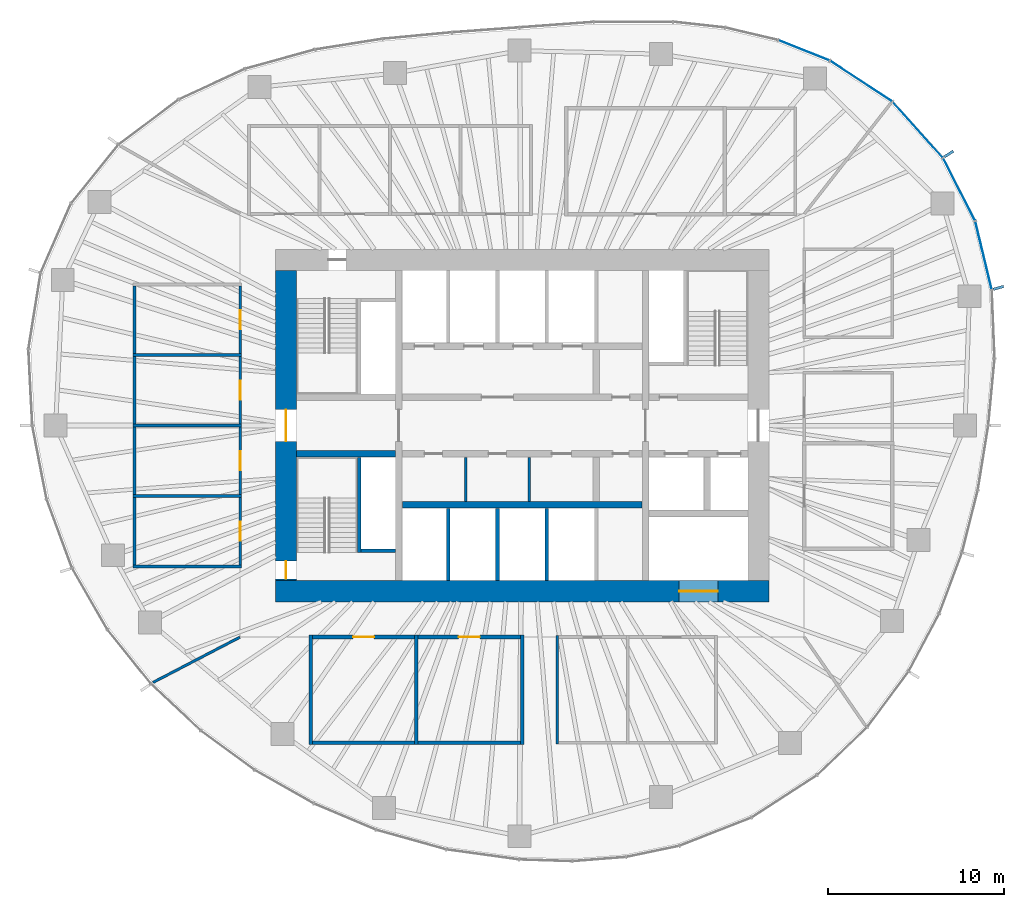
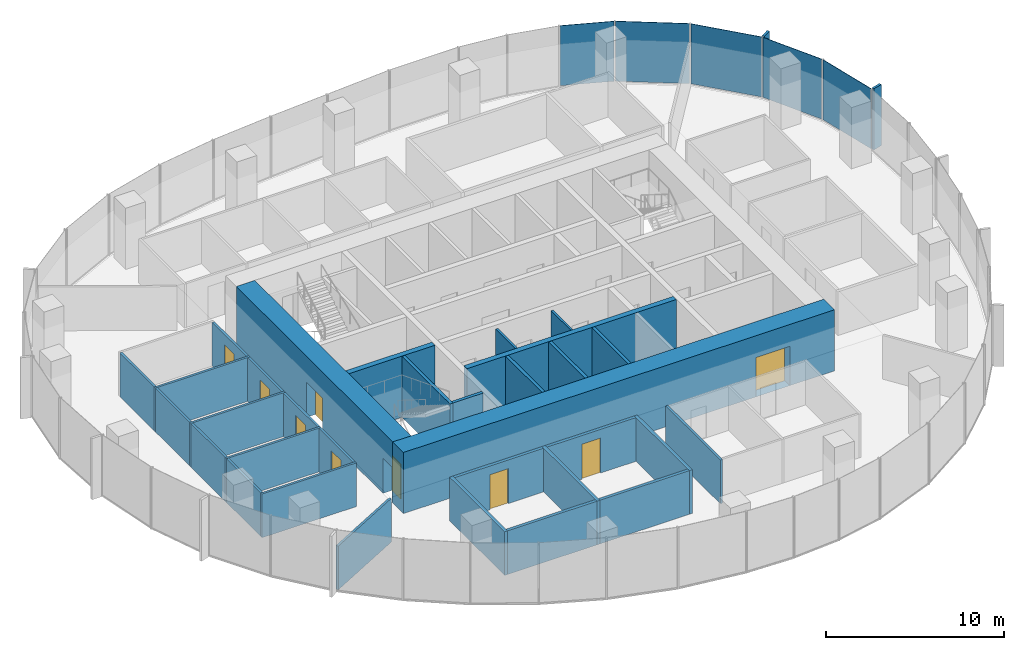
# One storey, part 8 of 12: 32 walls, 9 doors, 7 plates, 9 openings, 3 elements without a shape of their own.
"""IFC4 building model written with IfcOpenShell, lengths in metres."""

from ifc_helpers import new_model, si_unit, direction, frame, frame_2d, origin, origin_2d, place, context, subcontext, project, spatial, rectangle, extrude, material, layer, layer_set, type_object, element, fill, aggregate, save


model = new_model("IFC4")

# Units and contexts
model_context = context("Model", 3, precision=1e-05, world=origin(), true_north=direction((0.0, 1.0)))
body_context = subcontext(model_context, "Body", "Model", "MODEL_VIEW")
ifc_project = project(units=[si_unit("LENGTHUNIT", "METRE"), si_unit("AREAUNIT", "SQUARE_METRE"), si_unit("VOLUMEUNIT", "CUBIC_METRE"), si_unit("PLANEANGLEUNIT", "RADIAN"), si_unit("MASSUNIT", "GRAM", prefix="KILO")], contexts=[model_context])

# Site, building, storey
site_placement = place(None, origin())
site = spatial("IfcSite", under=ifc_project, at=site_placement, CompositionType="ELEMENT")
building_placement = place(site_placement, origin())
building = spatial("IfcBuilding", under=site, at=building_placement, Name="Ghaith Harvest Tower", CompositionType="ELEMENT")
storey_placement = place(building_placement, frame((0.0, 0.0, 199.0)))
storey = spatial("IfcBuildingStorey", under=building, at=storey_placement, Name="L43", CompositionType="ELEMENT", Elevation=199.0)

# Curtain wall, plates
ifc_material_1 = material(Name="Black anodised aluminium and fritted glass", Category="aluminium")
curtain_wall_type = type_object("IfcCurtainWallType", Name="CW-H CURTAIN WALL", PredefinedType="NOTDEFINED", material=ifc_material_1)
curtain_wall_1_placement = place(storey_placement, origin())
curtain_wall_1 = element("IfcCurtainWall", 1, at=curtain_wall_1_placement, inside=storey, type_object=curtain_wall_type, Name="Curtain wall CW-H bay 02 L43", PredefinedType="NOTDEFINED")
ifc_material_2 = material(Name="Glass, dark solar-control fritted double glazed unit", Category="glass")
ifc_layer_1 = layer(ifc_material_2, 0.030029296875)
ifc_layer_set_1 = layer_set([ifc_layer_1], Name="CW-H VISION PANEL")
plate_type_1 = type_object("IfcPlateType", Name="CW-H VISION PANEL", PredefinedType="CURTAIN_PANEL", material=ifc_layer_set_1)
plate_1_placement = place(storey_placement, frame((26.1767578125, 9.6533203125, 0.079833984375), z_axis=(0.0, 0.0, 1.0), x_axis=(-0.233894000303, 0.972262102842, 0.0)))
plate_1 = element("IfcPlate", 2, at=plate_1_placement, type_object=plate_type_1, Name="CW-H glass unit 1 bay 02 L43", PredefinedType="CURTAIN_PANEL", context=body_context, shape_type="SweptSolid", body=[
    extrude(rectangle(XDim=3.935546875, YDim=0.030029296875, at=origin_2d()), origin(), (0.0, 0.0, 1.0), 4.1201171875),
])
plate_2_placement = place(storey_placement, frame((24.790771484375, 13.399658203125, 0.079833984375), z_axis=(0.0, 0.0, 1.0), x_axis=(-0.454915320985, 0.890534699342, 0.0)))
plate_2 = element("IfcPlate", 3, at=plate_2_placement, type_object=plate_type_1, Name="CW-H glass unit 2 bay 02 L43", PredefinedType="CURTAIN_PANEL", context=body_context, shape_type="SweptSolid", body=[
    extrude(rectangle(XDim=3.949462890625, YDim=0.030029296875, at=origin_2d()), origin(), (0.0, 0.0, 1.0), 4.1201171875),
])
aggregate(curtain_wall_1, [plate_1, plate_2])

curtain_wall_2_placement = place(storey_placement, origin())
curtain_wall_2 = element("IfcCurtainWall", 4, at=curtain_wall_2_placement, inside=storey, type_object=curtain_wall_type, Name="Curtain wall CW-H bay 03 L43", PredefinedType="NOTDEFINED")
plate_3_placement = place(storey_placement, frame((22.44384765625, 16.783935546875, 0.079833984375), z_axis=(0.0, 0.0, 1.0), x_axis=(-0.668757736889, 0.743480389352, 0.0)))
plate_3 = element("IfcPlate", 5, at=plate_3_placement, type_object=plate_type_1, Name="CW-H glass unit 1 bay 03 L43", PredefinedType="CURTAIN_PANEL", context=body_context, shape_type="SweptSolid", body=[
    extrude(rectangle(XDim=4.19775390625, YDim=0.030029296875, at=origin_2d()), origin(), (0.0, 0.0, 1.0), 4.1201171875),
])
plate_4_placement = place(storey_placement, frame((19.236328125, 19.539306640625, 0.079833984375), z_axis=(0.0, 0.0, 1.0), x_axis=(-0.836276741583, 0.548307588392, 0.0)))
plate_4 = element("IfcPlate", 6, at=plate_4_placement, type_object=plate_type_1, Name="CW-H glass unit 2 bay 03 L43", PredefinedType="CURTAIN_PANEL", context=body_context, shape_type="SweptSolid", body=[
    extrude(rectangle(XDim=4.169677734375, YDim=0.030029296875, at=origin_2d()), origin(), (0.0, 0.0, 1.0), 4.1201171875),
])
aggregate(curtain_wall_2, [plate_3, plate_4])

# Curtain wall, plate
curtain_wall_3_placement = place(storey_placement, origin())
curtain_wall_3 = element("IfcCurtainWall", 7, at=curtain_wall_3_placement, inside=storey, type_object=curtain_wall_type, Name="Curtain wall CW-H bay 04 L43", PredefinedType="NOTDEFINED")
plate_5_placement = place(storey_placement, frame((15.993408203125, 21.287841796875, 0.079833984375), z_axis=(0.0, 0.0, 1.0), x_axis=(-0.929107322045, 0.369810200133, 0.0)))
plate_5 = element("IfcPlate", 8, at=plate_5_placement, type_object=plate_type_1, Name="CW-H glass unit 1 bay 04 L43", PredefinedType="CURTAIN_PANEL", context=body_context, shape_type="SweptSolid", body=[
    extrude(rectangle(XDim=3.075927734375, YDim=0.030029296875, at=origin_2d()), origin(), (0.0, 0.0, 1.0), 4.1201171875),
])
aggregate(curtain_wall_3, [plate_5])

# Plates
ifc_material_3 = material(Name="Glassfibre-reinforced concrete", Category="concrete")
ifc_layer_2 = layer(ifc_material_3, 0.14990234375)
ifc_layer_set_2 = layer_set([ifc_layer_2], Name="SUN-BREAKER FIN 600x150")
plate_type_2 = type_object("IfcPlateType", Name="SUN-BREAKER FIN 600x150", PredefinedType="USERDEFINED", material=ifc_layer_set_2)
for number, where, z_axis, x_axis, name in (
    (9, (27.03076171875, 7.8125, 0.0), (0.0, 0.0, 1.0), (0.960680349985, 0.277656739792, 0.0), "Sun-breaker fin CW-H 1 bay 02 L43"),
    (10, (24.211669921875, 15.408447265625, 0.0), (0.0, 0.0, 1.0), (0.843643971464, 0.536903016766, 0.0), "Sun-breaker fin CW-H 1 bay 03 L43"),
):
    element("IfcPlate", number, at=place(storey_placement, frame(where, z_axis=z_axis, x_axis=x_axis)), inside=storey, type_object=plate_type_2, Name=name, ObjectType="SUN-BREAKER FIN", PredefinedType="USERDEFINED", context=body_context, shape_type="SweptSolid", body=[
        extrude(rectangle(XDim=0.60009765625, YDim=0.14990234375, at=origin_2d()), origin(), (0.0, 0.0, 1.0), 4.199951171875),
    ])

# Walls
ifc_material_4 = material(Name="Twin-stud gypsum board, acoustic", Category="gypsum")
ifc_layer_3 = layer(ifc_material_4, 0.199951171875)
ifc_layer_set_3 = layer_set([ifc_layer_3], Name="ACOUSTIC PARTITION 200")
wall_type_1 = type_object("IfcWallType", Name="ACOUSTIC PARTITION 200", PredefinedType="PARTITIONING", material=ifc_layer_set_3)
for number, where, z_axis, x_axis, name in (
    (11, (-12.0, -11.89990234375, 0.0), (0.0, 0.0, 1.0), (0.0, -1.0, 0.0), "Partition L43 row S3 cross wall 1"),
    (12, (-6.0, -11.89990234375, 0.0), (0.0, 0.0, 1.0), (0.0, -1.0, 0.0), "Partition L43 row S3 cross wall 2"),
    (13, (0.0, -11.89990234375, 0.0), (0.0, 0.0, 1.0), (0.0, -1.0, 0.0), "Partition L43 row S3 cross wall 3"),
):
    element("IfcWall", number, at=place(storey_placement, frame(where, z_axis=z_axis, x_axis=x_axis)), inside=storey, type_object=wall_type_1, Name=name, PredefinedType="PARTITIONING", context=body_context, shape_type="SweptSolid", body=[
        extrude(rectangle(XDim=6.2001953125, YDim=0.199951171875, at=frame_2d((3.10009765625, 0.0))), origin(), (0.0, 0.0, 1.0), 3.0),
    ])

# Wall, opening, door
wall_1_placement = place(storey_placement, frame((-11.89990234375, -12.0, 0.0), z_axis=(0.0, 0.0, 1.0), x_axis=(1.0, 0.0, 0.0)))
wall_1 = element("IfcWall", 14, at=wall_1_placement, inside=storey, type_object=wall_type_1, Name="Partition L43-07", PredefinedType="PARTITIONING", context=body_context, shape_type="SweptSolid", body=[
    extrude(rectangle(XDim=5.7998046875, YDim=0.199951171875, at=frame_2d((2.89990234375, 0.0))), origin(), (0.0, 0.0, 1.0), 3.0),
])
opening_1_placement = place(wall_1_placement, frame((2.300048828125, 0.0, 0.0)))
opening_1 = element("IfcOpeningElement", 15, at=opening_1_placement, cuts=wall_1, Name="Opening 43-027", PredefinedType="OPENING", context=body_context, shape_type="SweptSolid", body=[
    extrude(rectangle(XDim=1.199951171875, YDim=2.39990234375, at=frame_2d((0.60009765625, 1.199951171875))), frame((0.0, 0.10986328125, 0.0), z_axis=(0.0, -1.0, 0.0), x_axis=(1.0, 0.0, 0.0)), (0.0, 0.0, 1.0), 0.219970703125),
])
ifc_material_5 = material(Name="Timber door", Category="wood")
door_type_1 = type_object("IfcDoorType", Name="D11 GLAZED 1200x2400", OperationType="SINGLE_SWING_LEFT", PredefinedType="DOOR", material=ifc_material_5)
door_1_placement = place(opening_1_placement, origin())
door_1 = element("IfcDoor", 16, at=door_1_placement, inside=storey, type_object=door_type_1, Name="Meeting room door", OperationType="SINGLE_SWING_LEFT", OverallHeight=2.39990234375, OverallWidth=1.199951171875, PredefinedType="DOOR", context=body_context, shape_type="SweptSolid", body=[
    extrude(rectangle(XDim=1.199951171875, YDim=2.39990234375, at=frame_2d((0.60009765625, 1.199951171875))), frame((0.0, 0.02490234375, 0.0), z_axis=(0.0, -1.0, 0.0), x_axis=(1.0, 0.0, 0.0)), (0.0, 0.0, 1.0), 0.050048828125),
])
fill(opening_1, door_1)

# Wall
wall_2_placement = place(storey_placement, frame((-11.89990234375, -18.0, 0.0), z_axis=(0.0, 0.0, 1.0), x_axis=(1.0, 0.0, 0.0)))
element("IfcWall", 17, at=wall_2_placement, inside=storey, type_object=wall_type_1, Name="Partition L43-07", PredefinedType="PARTITIONING", context=body_context, shape_type="SweptSolid", body=[
    extrude(rectangle(XDim=5.7998046875, YDim=0.199951171875, at=frame_2d((2.89990234375, 0.0))), origin(), (0.0, 0.0, 1.0), 3.0),
])

# Wall, opening, door
wall_3_placement = place(storey_placement, frame((-5.89990234375, -12.0, 0.0), z_axis=(0.0, 0.0, 1.0), x_axis=(1.0, 0.0, 0.0)))
wall_3 = element("IfcWall", 18, at=wall_3_placement, inside=storey, type_object=wall_type_1, Name="Partition L43-08", PredefinedType="PARTITIONING", context=body_context, shape_type="SweptSolid", body=[
    extrude(rectangle(XDim=5.7998046875, YDim=0.199951171875, at=frame_2d((2.89990234375, 0.0))), origin(), (0.0, 0.0, 1.0), 3.0),
])
opening_2_placement = place(wall_3_placement, frame((2.300048828125, 0.0, 0.0)))
opening_2 = element("IfcOpeningElement", 19, at=opening_2_placement, cuts=wall_3, Name="Opening 43-028", PredefinedType="OPENING", context=body_context, shape_type="SweptSolid", body=[
    extrude(rectangle(XDim=1.199951171875, YDim=2.39990234375, at=frame_2d((0.60009765625, 1.199951171875))), frame((0.0, 0.10986328125, 0.0), z_axis=(0.0, -1.0, 0.0), x_axis=(1.0, 0.0, 0.0)), (0.0, 0.0, 1.0), 0.219970703125),
])
door_2_placement = place(opening_2_placement, origin())
door_2 = element("IfcDoor", 20, at=door_2_placement, inside=storey, type_object=door_type_1, Name="Meeting room door", OperationType="SINGLE_SWING_LEFT", OverallHeight=2.39990234375, OverallWidth=1.199951171875, PredefinedType="DOOR", context=body_context, shape_type="SweptSolid", body=[
    extrude(rectangle(XDim=1.199951171875, YDim=2.39990234375, at=frame_2d((0.60009765625, 1.199951171875))), frame((0.0, 0.02490234375, 0.0), z_axis=(0.0, -1.0, 0.0), x_axis=(1.0, 0.0, 0.0)), (0.0, 0.0, 1.0), 0.050048828125),
])
fill(opening_2, door_2)

# Walls
wall_4_placement = place(storey_placement, frame((-5.89990234375, -18.0, 0.0), z_axis=(0.0, 0.0, 1.0), x_axis=(1.0, 0.0, 0.0)))
element("IfcWall", 21, at=wall_4_placement, inside=storey, type_object=wall_type_1, Name="Partition L43-08", PredefinedType="PARTITIONING", context=body_context, shape_type="SweptSolid", body=[
    extrude(rectangle(XDim=5.7998046875, YDim=0.199951171875, at=frame_2d((2.89990234375, 0.0))), origin(), (0.0, 0.0, 1.0), 3.0),
])
ifc_material_6 = material(Name="Concrete blockwork, fair-faced", Category="masonry")
ifc_layer_4 = layer(ifc_material_6, 0.139892578125)
ifc_layer_set_4 = layer_set([ifc_layer_4], Name="CORE PARTITION 140")
wall_type_2 = type_object("IfcWallType", Name="CORE PARTITION 140", PredefinedType="PARTITIONING", material=ifc_layer_set_4)
for number, where, z_axis, x_axis, name in (
    (22, (-3.199951171875, -1.800048828125, 0.0), (0.0, 0.0, 1.0), (0.0, -1.0, 0.0), "Core partition L43"),
    (23, (0.39990234375, -1.800048828125, 0.0), (0.0, 0.0, 1.0), (0.0, -1.0, 0.0), "Core partition L43"),
):
    element("IfcWall", number, at=place(storey_placement, frame(where, z_axis=z_axis, x_axis=x_axis)), inside=storey, type_object=wall_type_2, Name=name, PredefinedType="PARTITIONING", context=body_context, shape_type="SweptSolid", body=[
        extrude(rectangle(XDim=2.5, YDim=0.139892578125, at=frame_2d((1.25, 0.0))), origin(), (0.0, 0.0, 1.0), 3.949951171875),
    ])

# Wall, opening, door
ifc_material_7 = material(Name="Concrete C60/75", Category="concrete")
ifc_layer_5 = layer(ifc_material_7, 1.199951171875)
ifc_layer_set_5 = layer_set([ifc_layer_5], Name="CORE WALL CW1200 C60")
wall_type_3 = type_object("IfcWallType", Name="CORE WALL CW1200 C60", PredefinedType="SHEAR", material=ifc_layer_set_5)
wall_5_placement = place(storey_placement, frame((-14.0, -9.39990234375, 0.0), z_axis=(0.0, 0.0, 1.0), x_axis=(1.0, 0.0, 0.0)))
wall_5 = element("IfcWall", 24, at=wall_5_placement, inside=storey, type_object=wall_type_3, Name="Core wall S L43", PredefinedType="SHEAR", context=body_context, shape_type="SweptSolid", body=[
    extrude(rectangle(XDim=28.0, YDim=1.199951171875, at=frame_2d((14.0, 0.0))), origin(), (0.0, 0.0, 1.0), 4.199951171875),
])
opening_3_placement = place(wall_5_placement, frame((22.89990234375, 0.0, 0.0)))
opening_3 = element("IfcOpeningElement", 25, at=opening_3_placement, cuts=wall_5, Name="Opening 43-020", PredefinedType="OPENING", context=body_context, shape_type="SweptSolid", body=[
    extrude(rectangle(XDim=2.199951171875, YDim=2.699951171875, at=frame_2d((1.10009765625, 1.35009765625))), frame((0.0, 0.60986328125, 0.0), z_axis=(0.0, -1.0, 0.0), x_axis=(1.0, 0.0, 0.0)), (0.0, 0.0, 1.0), 1.219970703125),
])
ifc_material_8 = material(Name="Steel fire door", Category="steel")
door_type_2 = type_object("IfcDoorType", Name="LD3 LANDING 2200x2700", OperationType="DOUBLE_DOOR_SLIDING", PredefinedType="DOOR", material=ifc_material_8)
door_3_placement = place(opening_3_placement, origin())
door_3 = element("IfcDoor", 26, at=door_3_placement, inside=storey, type_object=door_type_2, Name="Landing door, goods lift GL1", OperationType="DOUBLE_DOOR_SLIDING", OverallHeight=2.699951171875, OverallWidth=2.199951171875, PredefinedType="DOOR", context=body_context, shape_type="SweptSolid", body=[
    extrude(rectangle(XDim=2.199951171875, YDim=2.699951171875, at=frame_2d((1.10009765625, 1.35009765625))), frame((0.0, 0.02490234375, 0.0), z_axis=(0.0, -1.0, 0.0), x_axis=(1.0, 0.0, 0.0)), (0.0, 0.0, 1.0), 0.050048828125),
])
fill(opening_3, door_3)

# Wall, openings, doors
wall_6_placement = place(storey_placement, frame((-13.39990234375, 8.800048828125, 0.0), z_axis=(0.0, 0.0, 1.0), x_axis=(0.0, -1.0, 0.0)))
wall_6 = element("IfcWall", 27, at=wall_6_placement, inside=storey, type_object=wall_type_3, Name="Core wall W L43", PredefinedType="SHEAR", context=body_context, shape_type="SweptSolid", body=[
    extrude(rectangle(XDim=17.60009765625, YDim=1.199951171875, at=frame_2d((8.800048828125, 0.0))), origin(), (0.0, 0.0, 1.0), 4.199951171875),
])
opening_4_placement = place(wall_6_placement, frame((7.89990234375, 0.0, 0.0)))
opening_4 = element("IfcOpeningElement", 28, at=opening_4_placement, cuts=wall_6, Name="Opening 43-001", PredefinedType="OPENING", context=body_context, shape_type="SweptSolid", body=[
    extrude(rectangle(XDim=1.800048828125, YDim=2.39990234375, at=frame_2d((0.89990234375, 1.199951171875))), frame((0.0, 0.60986328125, 0.0), z_axis=(0.0, -1.0, 0.0), x_axis=(1.0, 0.0, 0.0)), (0.0, 0.0, 1.0), 1.219970703125),
])
opening_5_placement = place(wall_6_placement, frame((16.5, 0.0, 0.0)))
opening_5 = element("IfcOpeningElement", 29, at=opening_5_placement, cuts=wall_6, Name="Opening 43-006", PredefinedType="OPENING", context=body_context, shape_type="SweptSolid", body=[
    extrude(rectangle(XDim=1.0, YDim=2.39990234375, at=frame_2d((0.5, 1.199951171875))), frame((0.0, 0.60986328125, 0.0), z_axis=(0.0, -1.0, 0.0), x_axis=(1.0, 0.0, 0.0)), (0.0, 0.0, 1.0), 1.219970703125),
])
ifc_material_9 = material(Name="Steel fire door", Category="steel")
door_type_3 = type_object("IfcDoorType", Name="D3 FD90 1000x2400", OperationType="SINGLE_SWING_LEFT", PredefinedType="DOOR", material=ifc_material_9)
door_4_placement = place(opening_5_placement, origin())
door_4 = element("IfcDoor", 30, at=door_4_placement, inside=storey, type_object=door_type_3, Name="Stair ST3 door", OperationType="SINGLE_SWING_RIGHT", OverallHeight=2.39990234375, OverallWidth=1.0, PredefinedType="DOOR", context=body_context, shape_type="SweptSolid", body=[
    extrude(rectangle(XDim=1.0, YDim=2.39990234375, at=frame_2d((0.5, 1.199951171875))), frame((0.0, 0.02490234375, 0.0), z_axis=(0.0, -1.0, 0.0), x_axis=(1.0, 0.0, 0.0)), (0.0, 0.0, 1.0), 0.050048828125),
])
fill(opening_5, door_4)
ifc_material_10 = material(Name="Steel fire door", Category="steel")
door_type_4 = type_object("IfcDoorType", Name="D4 FD90 PAIR 1800x2400", OperationType="DOUBLE_DOOR_SINGLE_SWING", PredefinedType="DOOR", material=ifc_material_10)
door_5_placement = place(opening_4_placement, origin())
door_5 = element("IfcDoor", 31, at=door_5_placement, inside=storey, type_object=door_type_4, Name="West lobby doors", OperationType="DOUBLE_DOOR_SINGLE_SWING", OverallHeight=2.39990234375, OverallWidth=1.800048828125, PredefinedType="DOOR", context=body_context, shape_type="SweptSolid", body=[
    extrude(rectangle(XDim=1.800048828125, YDim=2.39990234375, at=frame_2d((0.89990234375, 1.199951171875))), frame((0.0, 0.02490234375, 0.0), z_axis=(0.0, -1.0, 0.0), x_axis=(1.0, 0.0, 0.0)), (0.0, 0.0, 1.0), 0.050048828125),
])
fill(opening_4, door_5)

# Walls
ifc_material_11 = material(Name="Concrete blockwork, 2-hour", Category="masonry")
ifc_layer_6 = layer(ifc_material_11, 0.199951171875)
ifc_layer_set_6 = layer_set([ifc_layer_6], Name="LIFT SHAFT WALL 200")
wall_type_4 = type_object("IfcWallType", Name="LIFT SHAFT WALL 200", PredefinedType="PARTITIONING", material=ifc_layer_set_6)
for number, where, z_axis, x_axis, name in (
    (32, (-4.199951171875, -4.699951171875, 0.0), (0.0, 0.0, 1.0), (0.0, -1.0, 0.0), "Lift shaft wall L43"),
    (33, (-1.39990234375, -4.699951171875, 0.0), (0.0, 0.0, 1.0), (0.0, -1.0, 0.0), "Lift shaft wall L43"),
    (34, (1.39990234375, -4.699951171875, 0.0), (0.0, 0.0, 1.0), (0.0, -1.0, 0.0), "Lift shaft wall L43"),
):
    element("IfcWall", number, at=place(storey_placement, frame(where, z_axis=z_axis, x_axis=x_axis)), inside=storey, type_object=wall_type_4, Name=name, PredefinedType="PARTITIONING", context=body_context, shape_type="SweptSolid", body=[
        extrude(rectangle(XDim=4.10009765625, YDim=0.199951171875, at=frame_2d((2.050048828125, 0.0))), origin(), (0.0, 0.0, 1.0), 4.199951171875),
    ])
ifc_material_12 = material(Name="Gypsum board on steel studs", Category="steel")
ifc_layer_7 = layer(ifc_material_12, 0.14990234375)
ifc_layer_set_7 = layer_set([ifc_layer_7], Name="PARTITION 150")
wall_type_5 = type_object("IfcWallType", Name="PARTITION 150", PredefinedType="PARTITIONING", material=ifc_layer_set_7)
for number, where, z_axis, x_axis, name in (
    (35, (2.0, -11.925048828125, 0.0), (0.0, 0.0, 1.0), (0.0, -1.0, 0.0), "Partition L43 row S4 cross wall 1"),
    (36, (-15.925048828125, -8.0, 0.0), (0.0, 0.0, 1.0), (-1.0, 0.0, 0.0), "Partition L43 row W6 cross wall 1"),
    (37, (-15.925048828125, -4.0, 0.0), (0.0, 0.0, 1.0), (-1.0, 0.0, 0.0), "Partition L43 row W6 cross wall 2"),
    (38, (-15.925048828125, 0.0, 0.0), (0.0, 0.0, 1.0), (-1.0, 0.0, 0.0), "Partition L43 row W6 cross wall 3"),
    (39, (-15.925048828125, 4.0, 0.0), (0.0, 0.0, 1.0), (-1.0, 0.0, 0.0), "Partition L43 row W6 cross wall 4"),
):
    element("IfcWall", number, at=place(storey_placement, frame(where, z_axis=z_axis, x_axis=x_axis)), inside=storey, type_object=wall_type_5, Name=name, PredefinedType="PARTITIONING", context=body_context, shape_type="SweptSolid", body=[
        extrude(rectangle(XDim=6.14990234375, YDim=0.14990234375, at=frame_2d((3.074951171875, 0.0))), origin(), (0.0, 0.0, 1.0), 3.0),
    ])

# Wall, opening, door
wall_7_placement = place(storey_placement, frame((-16.0, -7.925048828125, 0.0), z_axis=(0.0, 0.0, 1.0), x_axis=(0.0, 1.0, 0.0)))
wall_7 = element("IfcWall", 40, at=wall_7_placement, inside=storey, type_object=wall_type_5, Name="Partition L43-13", PredefinedType="PARTITIONING", context=body_context, shape_type="SweptSolid", body=[
    extrude(rectangle(XDim=3.85009765625, YDim=0.14990234375, at=frame_2d((1.925048828125, 0.0))), origin(), (0.0, 0.0, 1.0), 3.0),
])
opening_6_placement = place(wall_7_placement, frame((1.375, 0.0, 0.0)))
opening_6 = element("IfcOpeningElement", 41, at=opening_6_placement, cuts=wall_7, Name="Opening 43-033", PredefinedType="OPENING", context=body_context, shape_type="SweptSolid", body=[
    extrude(rectangle(XDim=1.10009765625, YDim=2.300048828125, at=frame_2d((0.550048828125, 1.14990234375))), frame((0.0, 0.0849609375, 0.0), z_axis=(0.0, -1.0, 0.0), x_axis=(1.0, 0.0, 0.0)), (0.0, 0.0, 1.0), 0.169921875),
])
ifc_material_13 = material(Name="Timber-framed glazed door", Category="wood")
door_type_5 = type_object("IfcDoorType", Name="D12 GLAZED OFFICE 1100x2300", OperationType="SINGLE_SWING_LEFT", PredefinedType="DOOR", material=ifc_material_13)
door_6_placement = place(opening_6_placement, origin())
door_6 = element("IfcDoor", 42, at=door_6_placement, inside=storey, type_object=door_type_5, Name="Office door", OperationType="SINGLE_SWING_LEFT", OverallHeight=2.300048828125, OverallWidth=1.10009765625, PredefinedType="DOOR", context=body_context, shape_type="SweptSolid", body=[
    extrude(rectangle(XDim=1.10009765625, YDim=2.300048828125, at=frame_2d((0.550048828125, 1.14990234375))), frame((0.0, 0.02490234375, 0.0), z_axis=(0.0, -1.0, 0.0), x_axis=(1.0, 0.0, 0.0)), (0.0, 0.0, 1.0), 0.050048828125),
])
fill(opening_6, door_6)

# Wall
wall_8_placement = place(storey_placement, frame((-22.0, -7.925048828125, 0.0), z_axis=(0.0, 0.0, 1.0), x_axis=(0.0, 1.0, 0.0)))
element("IfcWall", 43, at=wall_8_placement, inside=storey, type_object=wall_type_5, Name="Partition L43-13", PredefinedType="PARTITIONING", context=body_context, shape_type="SweptSolid", body=[
    extrude(rectangle(XDim=3.85009765625, YDim=0.14990234375, at=frame_2d((1.925048828125, 0.0))), origin(), (0.0, 0.0, 1.0), 3.0),
])

# Wall, opening, door
wall_9_placement = place(storey_placement, frame((-16.0, -3.925048828125, 0.0), z_axis=(0.0, 0.0, 1.0), x_axis=(0.0, 1.0, 0.0)))
wall_9 = element("IfcWall", 44, at=wall_9_placement, inside=storey, type_object=wall_type_5, Name="Partition L43-14", PredefinedType="PARTITIONING", context=body_context, shape_type="SweptSolid", body=[
    extrude(rectangle(XDim=3.85009765625, YDim=0.14990234375, at=frame_2d((1.925048828125, 0.0))), origin(), (0.0, 0.0, 1.0), 3.0),
])
opening_7_placement = place(wall_9_placement, frame((1.375, 0.0, 0.0)))
opening_7 = element("IfcOpeningElement", 45, at=opening_7_placement, cuts=wall_9, Name="Opening 43-034", PredefinedType="OPENING", context=body_context, shape_type="SweptSolid", body=[
    extrude(rectangle(XDim=1.10009765625, YDim=2.300048828125, at=frame_2d((0.550048828125, 1.14990234375))), frame((0.0, 0.0849609375, 0.0), z_axis=(0.0, -1.0, 0.0), x_axis=(1.0, 0.0, 0.0)), (0.0, 0.0, 1.0), 0.169921875),
])
door_7_placement = place(opening_7_placement, origin())
door_7 = element("IfcDoor", 46, at=door_7_placement, inside=storey, type_object=door_type_5, Name="Office door", OperationType="SINGLE_SWING_LEFT", OverallHeight=2.300048828125, OverallWidth=1.10009765625, PredefinedType="DOOR", context=body_context, shape_type="SweptSolid", body=[
    extrude(rectangle(XDim=1.10009765625, YDim=2.300048828125, at=frame_2d((0.550048828125, 1.14990234375))), frame((0.0, 0.02490234375, 0.0), z_axis=(0.0, -1.0, 0.0), x_axis=(1.0, 0.0, 0.0)), (0.0, 0.0, 1.0), 0.050048828125),
])
fill(opening_7, door_7)

# Wall
wall_10_placement = place(storey_placement, frame((-22.0, -3.925048828125, 0.0), z_axis=(0.0, 0.0, 1.0), x_axis=(0.0, 1.0, 0.0)))
element("IfcWall", 47, at=wall_10_placement, inside=storey, type_object=wall_type_5, Name="Partition L43-14", PredefinedType="PARTITIONING", context=body_context, shape_type="SweptSolid", body=[
    extrude(rectangle(XDim=3.85009765625, YDim=0.14990234375, at=frame_2d((1.925048828125, 0.0))), origin(), (0.0, 0.0, 1.0), 3.0),
])

# Wall, opening, door
wall_11_placement = place(storey_placement, frame((-16.0, 0.074951171875, 0.0), z_axis=(0.0, 0.0, 1.0), x_axis=(0.0, 1.0, 0.0)))
wall_11 = element("IfcWall", 48, at=wall_11_placement, inside=storey, type_object=wall_type_5, Name="Partition L43-15", PredefinedType="PARTITIONING", context=body_context, shape_type="SweptSolid", body=[
    extrude(rectangle(XDim=3.85009765625, YDim=0.14990234375, at=frame_2d((1.925048828125, 0.0))), origin(), (0.0, 0.0, 1.0), 3.0),
])
opening_8_placement = place(wall_11_placement, frame((1.375, 0.0, 0.0)))
opening_8 = element("IfcOpeningElement", 49, at=opening_8_placement, cuts=wall_11, Name="Opening 43-035", PredefinedType="OPENING", context=body_context, shape_type="SweptSolid", body=[
    extrude(rectangle(XDim=1.10009765625, YDim=2.300048828125, at=frame_2d((0.550048828125, 1.14990234375))), frame((0.0, 0.0849609375, 0.0), z_axis=(0.0, -1.0, 0.0), x_axis=(1.0, 0.0, 0.0)), (0.0, 0.0, 1.0), 0.169921875),
])
door_8_placement = place(opening_8_placement, origin())
door_8 = element("IfcDoor", 50, at=door_8_placement, inside=storey, type_object=door_type_5, Name="Office door", OperationType="SINGLE_SWING_LEFT", OverallHeight=2.300048828125, OverallWidth=1.10009765625, PredefinedType="DOOR", context=body_context, shape_type="SweptSolid", body=[
    extrude(rectangle(XDim=1.10009765625, YDim=2.300048828125, at=frame_2d((0.550048828125, 1.14990234375))), frame((0.0, 0.02490234375, 0.0), z_axis=(0.0, -1.0, 0.0), x_axis=(1.0, 0.0, 0.0)), (0.0, 0.0, 1.0), 0.050048828125),
])
fill(opening_8, door_8)

# Wall
wall_12_placement = place(storey_placement, frame((-22.0, 0.074951171875, 0.0), z_axis=(0.0, 0.0, 1.0), x_axis=(0.0, 1.0, 0.0)))
element("IfcWall", 51, at=wall_12_placement, inside=storey, type_object=wall_type_5, Name="Partition L43-15", PredefinedType="PARTITIONING", context=body_context, shape_type="SweptSolid", body=[
    extrude(rectangle(XDim=3.85009765625, YDim=0.14990234375, at=frame_2d((1.925048828125, 0.0))), origin(), (0.0, 0.0, 1.0), 3.0),
])

# Wall, opening, door
wall_13_placement = place(storey_placement, frame((-16.0, 4.074951171875, 0.0), z_axis=(0.0, 0.0, 1.0), x_axis=(0.0, 1.0, 0.0)))
wall_13 = element("IfcWall", 52, at=wall_13_placement, inside=storey, type_object=wall_type_5, Name="Partition L43-16", PredefinedType="PARTITIONING", context=body_context, shape_type="SweptSolid", body=[
    extrude(rectangle(XDim=3.85009765625, YDim=0.14990234375, at=frame_2d((1.925048828125, 0.0))), origin(), (0.0, 0.0, 1.0), 3.0),
])
opening_9_placement = place(wall_13_placement, frame((1.375, 0.0, 0.0)))
opening_9 = element("IfcOpeningElement", 53, at=opening_9_placement, cuts=wall_13, Name="Opening 43-036", PredefinedType="OPENING", context=body_context, shape_type="SweptSolid", body=[
    extrude(rectangle(XDim=1.10009765625, YDim=2.300048828125, at=frame_2d((0.550048828125, 1.14990234375))), frame((0.0, 0.0849609375, 0.0), z_axis=(0.0, -1.0, 0.0), x_axis=(1.0, 0.0, 0.0)), (0.0, 0.0, 1.0), 0.169921875),
])
door_9_placement = place(opening_9_placement, origin())
door_9 = element("IfcDoor", 54, at=door_9_placement, inside=storey, type_object=door_type_5, Name="Office door", OperationType="SINGLE_SWING_LEFT", OverallHeight=2.300048828125, OverallWidth=1.10009765625, PredefinedType="DOOR", context=body_context, shape_type="SweptSolid", body=[
    extrude(rectangle(XDim=1.10009765625, YDim=2.300048828125, at=frame_2d((0.550048828125, 1.14990234375))), frame((0.0, 0.02490234375, 0.0), z_axis=(0.0, -1.0, 0.0), x_axis=(1.0, 0.0, 0.0)), (0.0, 0.0, 1.0), 0.050048828125),
])
fill(opening_9, door_9)

# Walls
wall_14_placement = place(storey_placement, frame((-22.0, 4.074951171875, 0.0), z_axis=(0.0, 0.0, 1.0), x_axis=(0.0, 1.0, 0.0)))
element("IfcWall", 55, at=wall_14_placement, inside=storey, type_object=wall_type_5, Name="Partition L43-16", PredefinedType="PARTITIONING", context=body_context, shape_type="SweptSolid", body=[
    extrude(rectangle(XDim=3.85009765625, YDim=0.14990234375, at=frame_2d((1.925048828125, 0.0))), origin(), (0.0, 0.0, 1.0), 3.0),
])
wall_15_placement = place(storey_placement, frame((-16.017578125, -12.00927734375, 0.0), z_axis=(0.0, 0.0, 1.0), x_axis=(-0.886831549241, -0.462092851351, 0.0)))
element("IfcWall", 56, at=wall_15_placement, inside=storey, type_object=wall_type_5, Name="Partition L43 zone division", PredefinedType="PARTITIONING", context=body_context, shape_type="SweptSolid", body=[
    extrude(rectangle(XDim=5.555419921875, YDim=0.14990234375, at=frame_2d((2.77783203125, 0.0))), origin(), (0.0, 0.0, 1.0), 3.0),
])
ifc_material_14 = material(Name="Concrete C60/75", Category="concrete")
ifc_layer_8 = layer(ifc_material_14, 0.35009765625)
ifc_layer_set_8 = layer_set([ifc_layer_8], Name="SHAFT WALL 350")
wall_type_6 = type_object("IfcWallType", Name="SHAFT WALL 350", PredefinedType="SHEAR", material=ifc_layer_set_8)
wall_16_placement = place(storey_placement, frame((-6.800048828125, -4.5, 0.0), z_axis=(0.0, 0.0, 1.0), x_axis=(1.0, 0.0, 0.0)))
element("IfcWall", 57, at=wall_16_placement, inside=storey, type_object=wall_type_6, Name="Shaft wall BS L43", PredefinedType="SHEAR", context=body_context, shape_type="SweptSolid", body=[
    extrude(rectangle(XDim=13.60009765625, YDim=0.35009765625, at=frame_2d((6.800048828125, 0.0))), origin(), (0.0, 0.0, 1.0), 4.199951171875),
])
wall_17_placement = place(storey_placement, frame((-12.800048828125, -1.60009765625, 0.0), z_axis=(0.0, 0.0, 1.0), x_axis=(1.0, 0.0, 0.0)))
element("IfcWall", 58, at=wall_17_placement, inside=storey, type_object=wall_type_6, Name="Shaft wall WS L43", PredefinedType="SHEAR", context=body_context, shape_type="SweptSolid", body=[
    extrude(rectangle(XDim=5.60009765625, YDim=0.35009765625, at=frame_2d((2.800048828125, 0.0))), origin(), (0.0, 0.0, 1.0), 4.199951171875),
])
ifc_material_15 = material(Name="Concrete C40/50", Category="concrete")
ifc_layer_9 = layer(ifc_material_15, 0.199951171875)
ifc_layer_set_9 = layer_set([ifc_layer_9], Name="STAIR SPINE WALL RC200")
wall_type_7 = type_object("IfcWallType", Name="STAIR SPINE WALL RC200", PredefinedType="SOLIDWALL", material=ifc_layer_set_9)
wall_18_placement = place(storey_placement, frame((-9.25, -7.199951171875, 0.0), z_axis=(0.0, 0.0, 1.0), x_axis=(0.0, 1.0, 0.0)))
element("IfcWall", 59, at=wall_18_placement, inside=storey, type_object=wall_type_7, Name="Stair ST3 spine wall L43", PredefinedType="SOLIDWALL", context=body_context, shape_type="SweptSolid", body=[
    extrude(rectangle(XDim=5.39990234375, YDim=0.199951171875, at=frame_2d((2.699951171875, 0.0))), origin(), (0.0, 0.0, 1.0), 4.199951171875),
])
wall_19_placement = place(storey_placement, frame((-9.14990234375, -7.10009765625, 0.0), z_axis=(0.0, 0.0, 1.0), x_axis=(1.0, 0.0, 0.0)))
element("IfcWall", 60, at=wall_19_placement, inside=storey, type_object=wall_type_7, Name="Stair ST3 spine wall return L43", PredefinedType="SOLIDWALL", context=body_context, shape_type="SweptSolid", body=[
    extrude(rectangle(XDim=1.949951171875, YDim=0.199951171875, at=frame_2d((0.97509765625, 0.0))), origin(), (0.0, 0.0, 1.0), 4.199951171875),
])

save(model, "model.ifc")
